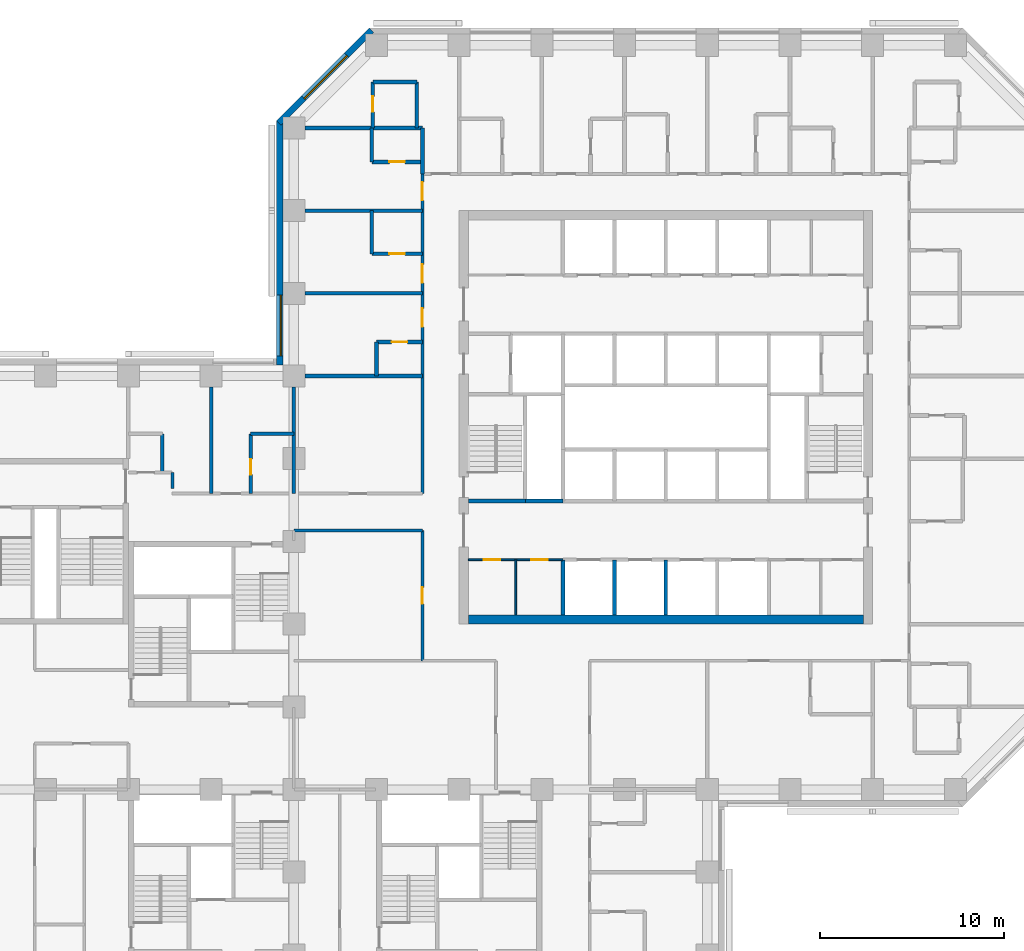
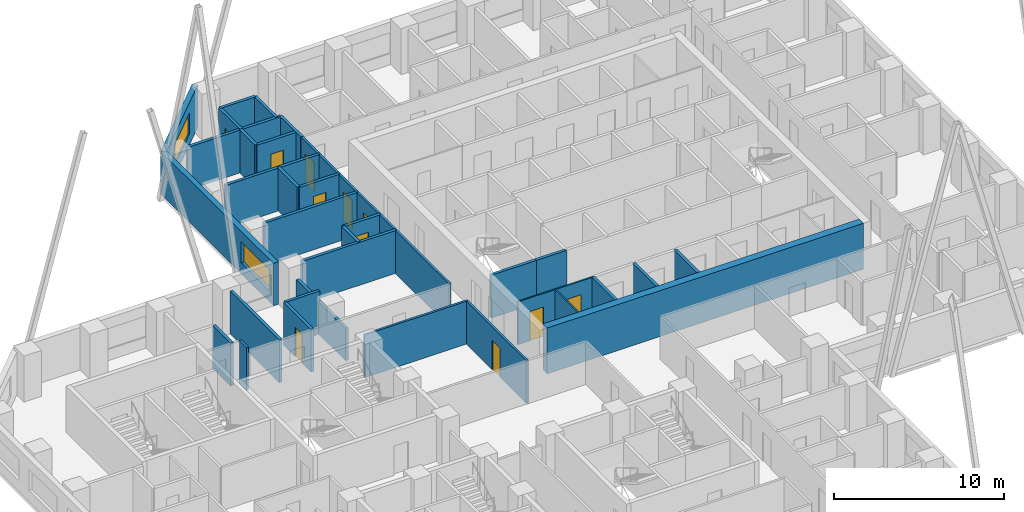
# One storey, part 8 of 14: 33 walls, 11 doors, 2 windows, 13 openings.
"""IFC4 building model written with IfcOpenShell, lengths in metres."""

import ifcopenshell
import ifcopenshell.guid

model = None  # the IFC model being written
_history = None  # IfcOwnerHistory: only IFC2X3 demands one
_inside = {}  # id of a spatial element -> (the spatial element, [elements in it])
_under = {}  # id of a project, library or spatial element -> (it, [spatial elements below it])
_declared = {}  # id of a project -> (the project, [libraries it declares])
_typed = {}  # id of a type object -> (the type object, [elements of that type])
_made_of = {}  # id of a material, layer set ... -> (it, [elements and type objects made of it])


def new_model(schema):
    """Start an empty IFC model of exactly this schema.

    Asked for "IFC4X3", IfcOpenShell would pick the latest addendum, in which some entities
    have other attributes; the version numbers below select the first issue.
    IFC2X3 requires an IfcOwnerHistory on every rooted entity: one is made here for all.
    """
    global model, _history
    if schema == "IFC4X3":
        model = ifcopenshell.file(schema_version=(4, 3, 0, 0))
    else:
        model = ifcopenshell.file(schema=schema)
    _inside.clear()
    _under.clear()
    _declared.clear()
    _typed.clear()
    _made_of.clear()
    _history = None
    if model.schema == "IFC2X3":
        org = make("IfcOrganization", Name="unknown")
        user = make(
            "IfcPersonAndOrganization",
            ThePerson=make("IfcPerson", FamilyName="unknown"),
            TheOrganization=org,
        )
        app = make(
            "IfcApplication",
            ApplicationDeveloper=org,
            Version="unknown",
            ApplicationFullName="unknown",
            ApplicationIdentifier="unknown",
        )
        _history = make(
            "IfcOwnerHistory",
            OwningUser=user,
            OwningApplication=app,
            ChangeAction="ADDED",
            CreationDate=0,
        )
    return model


def make(cls, **values):
    """One entity of the class cls with the attributes given. An attribute that is None is left unset."""
    return model.create_entity(
        cls, **{name: value for name, value in values.items() if value is not None}
    )


def rooted(cls, **values):
    """An entity with a GlobalId (a new one), such as an element, a storey or a relation."""
    return make(cls, GlobalId=ifcopenshell.guid.new(), OwnerHistory=_history, **values)


def si_unit(unit_type, name, prefix=None):
    """IfcSIUnit, for example si_unit("LENGTHUNIT", "METRE", prefix="MILLI")."""
    return make("IfcSIUnit", UnitType=unit_type, Prefix=prefix, Name=name)


def assignment(units):
    """IfcUnitAssignment: the units of a project."""
    return None if units is None else make("IfcUnitAssignment", Units=units)


def point(xyz):
    """IfcCartesianPoint."""
    return None if xyz is None else make("IfcCartesianPoint", Coordinates=xyz)


def direction(xyz):
    """IfcDirection."""
    return None if xyz is None else make("IfcDirection", DirectionRatios=xyz)


def frame(location, z_axis=None, x_axis=None):
    """IfcAxis2Placement3D, a coordinate frame: its origin and axes. An axis left out is left unset."""
    return make(
        "IfcAxis2Placement3D",
        Location=point(location),
        Axis=direction(z_axis),
        RefDirection=direction(x_axis),
    )


def frame_2d(location, x_axis=None):
    """IfcAxis2Placement2D, a coordinate frame in the plane: its origin and x axis."""
    return make(
        "IfcAxis2Placement2D", Location=point(location), RefDirection=direction(x_axis)
    )


def origin():
    """The frame at (0, 0, 0) with its axes left unset."""
    return frame((0.0, 0.0, 0.0))


def place(relative_to, where):
    """IfcLocalPlacement: puts the frame where relative to a parent placement (None: the world)."""
    return make(
        "IfcLocalPlacement", PlacementRelTo=relative_to, RelativePlacement=where
    )


def context(
    kind, dimensions, precision=None, world=None, true_north=None, identifier=None
):
    """IfcGeometricRepresentationContext, for example the 3D "Model" context."""
    return make(
        "IfcGeometricRepresentationContext",
        ContextIdentifier=identifier,
        ContextType=kind,
        CoordinateSpaceDimension=dimensions,
        Precision=precision,
        WorldCoordinateSystem=world,
        TrueNorth=true_north,
    )


def subcontext(parent, identifier, kind, view, scale=None):
    """IfcGeometricRepresentationSubContext, for example "Body" below "Model"."""
    return make(
        "IfcGeometricRepresentationSubContext",
        ContextIdentifier=identifier,
        ContextType=kind,
        ParentContext=parent,
        TargetScale=scale,
        TargetView=view,
    )


def project(units=None, contexts=None):
    """IfcProject with its units and contexts."""
    return rooted(
        "IfcProject",
        Name="project",
        RepresentationContexts=contexts,
        UnitsInContext=assignment(units),
    )


def spatial(cls, under=None, at=None, **own):
    """A site, building, storey or space (cls), placed at a placement, below another one or the project."""
    s = rooted(cls, ObjectPlacement=at, **own)
    if under is not None:
        _under.setdefault(under.id(), (under, []))[1].append(s)
    return s


def profile(cls, at=None, kind="AREA", **sizes):
    """A parametric profile (cls). Its sizes go by their IFC names, for example OverallWidth=200.0."""
    return make(cls, ProfileType=kind, Position=at, **sizes)


def rectangle(**sizes):
    """IfcRectangleProfileDef."""
    return profile("IfcRectangleProfileDef", **sizes)


def extrude(swept, where, along, depth):
    """IfcExtrudedAreaSolid: the profile swept, set in the frame where, extruded along a direction by depth."""
    return make(
        "IfcExtrudedAreaSolid",
        SweptArea=swept,
        Position=where,
        ExtrudedDirection=direction(along),
        Depth=depth,
    )


def shape(context_of_items, identifier, shape_type, items):
    """IfcShapeRepresentation: the items that make up one representation, for example the "Body"."""
    return make(
        "IfcShapeRepresentation",
        ContextOfItems=context_of_items,
        RepresentationIdentifier=identifier,
        RepresentationType=shape_type,
        Items=items,
    )


def material(Name=None, Category=None):
    """IfcMaterial."""
    return make("IfcMaterial", Name=Name, Category=Category)


def layer(
    of_material, thickness, ventilated=None, Name=None, Category=None, Priority=None
):
    """IfcMaterialLayer: one layer of a wall or slab, of a material (None: an air gap)."""
    return make(
        "IfcMaterialLayer",
        Material=of_material,
        LayerThickness=thickness,
        IsVentilated=ventilated,
        Name=Name,
        Category=Category,
        Priority=Priority,
    )


def layer_set(layers, Name=None):
    """IfcMaterialLayerSet."""
    return make("IfcMaterialLayerSet", MaterialLayers=layers, LayerSetName=Name)


def constituent(of_material, Name=None, Category=None, fraction=None):
    """IfcMaterialConstituent: one of the materials an element consists of."""
    return make(
        "IfcMaterialConstituent",
        Name=Name,
        Material=of_material,
        Fraction=fraction,
        Category=Category,
    )


def constituent_set(constituents=None, Name=None):
    """IfcMaterialConstituentSet."""
    return make(
        "IfcMaterialConstituentSet", Name=Name, MaterialConstituents=constituents
    )


def made_of(thing, what):
    """Note that an element or type object is made of a material, layer set ...; save() writes the relation."""
    if what is not None:
        _made_of.setdefault(what.id(), (what, []))[1].append(thing)
    return thing


def type_object(cls, material=None, **own):
    """A type object (cls), such as IfcWallType, which elements share."""
    return made_of(rooted(cls, **own), material)


def element(
    cls,
    number,
    at=None,
    inside=None,
    cuts=None,
    type_object=None,
    material=None,
    context=None,
    identifier="Body",
    shape_type=None,
    held_by="IfcProductDefinitionShape",
    body=None,
    shapes=None,
    **own,
):
    """One element of the class cls, such as IfcWall. Its Tag is "e" and its number.

    at: its placement. inside: the storey or other place that contains it. cuts: it is an
    opening in that element (IfcRelVoidsElement). A single representation is given by context,
    identifier, shape_type and body (its items); several are given by shapes. held_by: the class
    of the entity that holds the representations. save() writes the other relations.
    """
    e = rooted(cls, Tag="e%d" % number, ObjectPlacement=at, **own)
    if body is not None:
        shapes = [shape(context, identifier, shape_type, body)]
    if shapes is not None:
        e.Representation = make(held_by, Representations=shapes)
    if inside is not None:
        _inside.setdefault(inside.id(), (inside, []))[1].append(e)
    if cuts is not None:
        rooted(
            "IfcRelVoidsElement", RelatingBuildingElement=cuts, RelatedOpeningElement=e
        )
    if type_object is not None:
        _typed.setdefault(type_object.id(), (type_object, []))[1].append(e)
    return made_of(e, material)


def fill(opening, filler):
    """IfcRelFillsElement: the door or window that sits in an opening."""
    return rooted(
        "IfcRelFillsElement",
        RelatingOpeningElement=opening,
        RelatedBuildingElement=filler,
    )


def aggregate(whole, parts):
    """IfcRelAggregates: a whole, such as a stair, and the parts it consists of."""
    return rooted("IfcRelAggregates", RelatingObject=whole, RelatedObjects=parts)


def save(model, path):
    """Write the relations noted so far, then the file.

    IfcRelAggregates (storeys below a building ...), IfcRelContainedInSpatialStructure (elements
    in a storey), IfcRelDefinesByType, IfcRelAssociatesMaterial and IfcRelDeclares: one each for
    every whole, place, type object, material and project.
    """
    for whole, parts in _under.values():
        aggregate(whole, parts)
    for where, things in _inside.values():
        rooted(
            "IfcRelContainedInSpatialStructure",
            RelatedElements=things,
            RelatingStructure=where,
        )
    for kind, things in _typed.values():
        rooted("IfcRelDefinesByType", RelatedObjects=things, RelatingType=kind)
    for what, things in _made_of.values():
        rooted("IfcRelAssociatesMaterial", RelatedObjects=things, RelatingMaterial=what)
    for by, libraries in _declared.values():
        rooted("IfcRelDeclares", RelatingContext=by, RelatedDefinitions=libraries)
    model.write(path)


model = new_model("IFC4")

# Units and contexts
model_context = context("Model", 3, precision=1e-05, world=origin(), true_north=direction((0.0, 1.0)))
body_context = subcontext(model_context, "Body", "Model", "MODEL_VIEW")
ifc_project = project(units=[si_unit("LENGTHUNIT", "METRE"), si_unit("AREAUNIT", "SQUARE_METRE"), si_unit("VOLUMEUNIT", "CUBIC_METRE"), si_unit("PLANEANGLEUNIT", "RADIAN"), si_unit("MASSUNIT", "GRAM", prefix="KILO")], contexts=[model_context])

# Site, building, storey
site_placement = place(None, origin())
site = spatial("IfcSite", under=ifc_project, at=site_placement, CompositionType="ELEMENT")
building_placement = place(site_placement, origin())
building = spatial("IfcBuilding", under=site, at=building_placement, Name="Quoin Convention Tower", CompositionType="ELEMENT")
storey_placement = place(building_placement, frame((0.0, 0.0, 66.0)))
storey = spatial("IfcBuildingStorey", under=building, at=storey_placement, Name="L17", CompositionType="ELEMENT", Elevation=66.0)

# Wall, opening, window
ifc_material_1 = material(Name="Brick masonry", Category="masonry")
ifc_layer_1 = layer(ifc_material_1, 0.35009765625)
ifc_layer_set_1 = layer_set([ifc_layer_1], Name="Brick masonry")
wall_type_1 = type_object("IfcWallType", Name="Brick facade wall", PredefinedType="STANDARD", material=ifc_layer_set_1)
wall_1_placement = place(storey_placement, frame((40.230224609375, 81.826416015625, 0.0), z_axis=(0.0, 0.0, 1.0), x_axis=(-0.707106781187, -0.707106781187, 0.0)))
wall_1 = element("IfcWall", 1, at=wall_1_placement, inside=storey, type_object=wall_type_1, Name="fw-L17-40500_81000", PredefinedType="STANDARD", context=body_context, shape_type="SweptSolid", body=[
    extrude(rectangle(XDim=7.151123046875, YDim=0.35009765625, at=frame_2d((3.57568359375, 0.0))), origin(), (0.0, 0.0, 1.0), 3.054931640625),
])
opening_1_placement = place(wall_1_placement, frame((1.925537109375, 0.0, 0.800048828125)))
opening_1 = element("IfcOpeningElement", 2, at=opening_1_placement, cuts=wall_1, Name="Opening W-01", PredefinedType="OPENING", context=body_context, shape_type="SweptSolid", body=[
    extrude(rectangle(XDim=3.300048828125, YDim=1.5, at=frame_2d((1.64990234375, 0.75))), frame((0.0, 0.18505859375, 0.0), z_axis=(0.0, -1.0, 0.0), x_axis=(1.0, 0.0, 0.0)), (0.0, 0.0, 1.0), 0.3701171875),
])
ifc_material_2 = material(Name="Aluminium", Category="aluminium")
ifc_constituent_1 = constituent(ifc_material_2, Name="Frame")
ifc_material_3 = material(Name="Insulated glass", Category="glass")
ifc_constituent_2 = constituent(ifc_material_3, Name="Glazing")
ifc_constituent_set = constituent_set(constituents=[ifc_constituent_1, ifc_constituent_2], Name="Aluminium")
window_type = type_object("IfcWindowType", Name="Hotel strip window", PartitioningType="DOUBLE_PANEL_VERTICAL", PredefinedType="WINDOW", material=ifc_constituent_set)
window_1_placement = place(opening_1_placement, origin())
window_1 = element("IfcWindow", 3, at=window_1_placement, inside=storey, type_object=window_type, Name="win-L17-37702_79298", OverallHeight=1.5, OverallWidth=3.300048828125, PartitioningType="SINGLE_PANEL", PredefinedType="WINDOW", context=body_context, shape_type="SweptSolid", body=[
    extrude(rectangle(XDim=3.300048828125, YDim=1.5, at=frame_2d((1.64990234375, 0.75))), frame((0.0, 0.0849609375, 0.0), z_axis=(0.0, -1.0, 0.0), x_axis=(1.0, 0.0, 0.0)), (0.0, 0.0, 1.0), 0.06005859375),
])
fill(opening_1, window_1)

wall_2_placement = place(storey_placement, frame((35.22509765625, 76.8935546875, 0.0), z_axis=(0.0, 0.0, 1.0), x_axis=(0.0, -1.0, 0.0)))
wall_2 = element("IfcWall", 4, at=wall_2_placement, inside=storey, type_object=wall_type_1, Name="fw-L17-36000_76500", PredefinedType="STANDARD", context=body_context, shape_type="SweptSolid", body=[
    extrude(rectangle(XDim=13.29345703125, YDim=0.35009765625, at=frame_2d((6.646728515625, 0.0))), origin(), (0.0, 0.0, 1.0), 3.054931640625),
])
opening_2_placement = place(wall_2_placement, frame((9.493408203125, 0.0, 0.800048828125)))
opening_2 = element("IfcOpeningElement", 5, at=opening_2_placement, cuts=wall_2, Name="Opening W-01", PredefinedType="OPENING", context=body_context, shape_type="SweptSolid", body=[
    extrude(rectangle(XDim=3.300048828125, YDim=1.5, at=frame_2d((1.64990234375, 0.75))), frame((0.0, 0.18505859375, 0.0), z_axis=(0.0, -1.0, 0.0), x_axis=(1.0, 0.0, 0.0)), (0.0, 0.0, 1.0), 0.3701171875),
])
window_2_placement = place(opening_2_placement, origin())
window_2 = element("IfcWindow", 6, at=window_2_placement, inside=storey, type_object=window_type, Name="win-L17-35225_65250", OverallHeight=1.5, OverallWidth=3.300048828125, PartitioningType="SINGLE_PANEL", PredefinedType="WINDOW", context=body_context, shape_type="SweptSolid", body=[
    extrude(rectangle(XDim=3.300048828125, YDim=1.5, at=frame_2d((1.64990234375, 0.75))), frame((0.0, 0.0849609375, 0.0), z_axis=(0.0, -1.0, 0.0), x_axis=(1.0, 0.0, 0.0)), (0.0, 0.0, 1.0), 0.06005859375),
])
fill(opening_2, window_2)

# Wall, openings, doors
ifc_material_4 = material(Name="Plasterboard")
ifc_layer_2 = layer(ifc_material_4, 0.012451171875, Name="Finish")
ifc_material_5 = material(Name="Steel stud framing", Category="steel")
ifc_layer_3 = layer(ifc_material_5, 0.074951171875, Name="Structure")
ifc_layer_4 = layer(ifc_material_4, 0.012451171875, Name="Finish")
ifc_layer_set_2 = layer_set([ifc_layer_2, ifc_layer_3, ifc_layer_4], Name="Steel stud framing")
wall_type_2 = type_object("IfcWallType", Name="Core partition wall", PredefinedType="PARTITIONING", material=ifc_layer_set_2)
wall_3_placement = place(storey_placement, frame((45.5, 53.0, 0.0), z_axis=(0.0, 0.0, 1.0), x_axis=(1.0, 0.0, 0.0)))
wall_3 = element("IfcWall", 7, at=wall_3_placement, inside=storey, type_object=wall_type_2, Name="cr-C1-L17-h3500_500", PredefinedType="PARTITIONING", context=body_context, shape_type="SweptSolid", body=[
    extrude(rectangle(XDim=5.14990234375, YDim=0.10009765625, at=frame_2d((2.574951171875, 0.0))), origin(), (0.0, 0.0, 1.0), 3.080078125),
])
opening_3_placement = place(wall_3_placement, frame((0.83740234375, 0.0, 0.0)))
opening_3 = element("IfcOpeningElement", 8, at=opening_3_placement, cuts=wall_3, Name="Opening DCV0-49", PredefinedType="OPENING", context=body_context, shape_type="SweptSolid", body=[
    extrude(rectangle(XDim=0.89990234375, YDim=2.10009765625, at=frame_2d((0.449951171875, 1.050048828125))), frame((0.0, 0.06005859375, 0.0), z_axis=(0.0, -1.0, 0.0), x_axis=(1.0, 0.0, 0.0)), (0.0, 0.0, 1.0), 0.1201171875),
])
opening_4_placement = place(wall_3_placement, frame((3.41259765625, 0.0, 0.0)))
opening_4 = element("IfcOpeningElement", 9, at=opening_4_placement, cuts=wall_3, Name="Opening DCV0-50", PredefinedType="OPENING", context=body_context, shape_type="SweptSolid", body=[
    extrude(rectangle(XDim=0.89990234375, YDim=2.10009765625, at=frame_2d((0.449951171875, 1.050048828125))), frame((0.0, 0.06005859375, 0.0), z_axis=(0.0, -1.0, 0.0), x_axis=(1.0, 0.0, 0.0)), (0.0, 0.0, 1.0), 0.1201171875),
])
ifc_material_6 = material(Name="Steel door leaf", Category="steel")
door_type_1 = type_object("IfcDoorType", Name="Core room door 900 x 2100", OperationType="SINGLE_SWING_LEFT", PredefinedType="DOOR", material=ifc_material_6)
door_1_placement = place(opening_3_placement, frame((0.89990234375, 0.0, 0.0), z_axis=(0.0, 0.0, 1.0), x_axis=(-1.0, 0.0, 0.0)))
door_1 = element("IfcDoor", 10, at=door_1_placement, inside=storey, type_object=door_type_1, Name="cd-C1-L17-CSW0-lobA-CD1712", OperationType="SINGLE_SWING_LEFT", OverallHeight=2.10009765625, OverallWidth=0.89990234375, PredefinedType="DOOR", context=body_context, shape_type="SweptSolid", body=[
    extrude(rectangle(XDim=0.89990234375, YDim=2.10009765625, at=frame_2d((0.449951171875, 1.050048828125))), frame((0.0, 0.02490234375, 0.0), z_axis=(0.0, -1.0, 0.0), x_axis=(1.0, 0.0, 0.0)), (0.0, 0.0, 1.0), 0.050048828125),
])
fill(opening_3, door_1)
door_2_placement = place(opening_4_placement, frame((0.89990234375, 0.0, 0.0), z_axis=(0.0, 0.0, 1.0), x_axis=(-1.0, 0.0, 0.0)))
door_2 = element("IfcDoor", 11, at=door_2_placement, inside=storey, type_object=door_type_1, Name="cd-C1-L17-CSW1-lobA-CD1713", OperationType="SINGLE_SWING_LEFT", OverallHeight=2.10009765625, OverallWidth=0.89990234375, PredefinedType="DOOR", context=body_context, shape_type="SweptSolid", body=[
    extrude(rectangle(XDim=0.89990234375, YDim=2.10009765625, at=frame_2d((0.449951171875, 1.050048828125))), frame((0.0, 0.02490234375, 0.0), z_axis=(0.0, -1.0, 0.0), x_axis=(1.0, 0.0, 0.0)), (0.0, 0.0, 1.0), 0.050048828125),
])
fill(opening_4, door_2)

# Walls
wall_4_placement = place(storey_placement, frame((48.074951171875, 50.0, 0.0), z_axis=(0.0, 0.0, 1.0), x_axis=(0.0, 1.0, 0.0)))
element("IfcWall", 12, at=wall_4_placement, inside=storey, type_object=wall_type_2, Name="cr-C1-L17-v3075_500", PredefinedType="PARTITIONING", context=body_context, shape_type="SweptSolid", body=[
    extrude(rectangle(XDim=3.0, YDim=0.10009765625, at=frame_2d((1.5, 0.0))), origin(), (0.0, 0.0, 1.0), 3.080078125),
])
ifc_material_7 = material(Name="Concrete C50", Category="concrete")
ifc_layer_5 = layer(ifc_material_7, 0.199951171875)
ifc_layer_set_3 = layer_set([ifc_layer_5], Name="Concrete C50")
wall_type_3 = type_object("IfcWallType", Name="Core shaft wall", PredefinedType="SOLIDWALL", material=ifc_layer_set_3)
wall_5_placement = place(storey_placement, frame((48.60009765625, 56.199951171875, 0.0), z_axis=(0.0, 0.0, 1.0), x_axis=(1.0, 0.0, 0.0)))
element("IfcWall", 13, at=wall_5_placement, inside=storey, type_object=wall_type_3, Name="cr-C1-L17-h6700_3600", PredefinedType="SOLIDWALL", context=body_context, shape_type="SweptSolid", body=[
    extrude(rectangle(XDim=2.0498046875, YDim=0.199951171875, at=frame_2d((1.02490234375, 0.0))), origin(), (0.0, 0.0, 1.0), 3.080078125),
])
wall_6_placement = place(storey_placement, frame((45.5, 56.199951171875, 0.0), z_axis=(0.0, 0.0, 1.0), x_axis=(1.0, 0.0, 0.0)))
element("IfcWall", 14, at=wall_6_placement, inside=storey, type_object=wall_type_3, Name="cr-C1-L17-h6700_500", PredefinedType="SOLIDWALL", context=body_context, shape_type="SweptSolid", body=[
    extrude(rectangle(XDim=3.10009765625, YDim=0.199951171875, at=frame_2d((1.550048828125, 0.0))), origin(), (0.0, 0.0, 1.0), 3.080078125),
])
for number, where, z_axis, x_axis, name in (
    (15, (50.64990234375, 50.0, 0.0), (0.0, 0.0, 1.0), (0.0, 1.0, 0.0), "cr-C1-L17-v5650_500"),
    (16, (53.449951171875, 50.0, 0.0), (0.0, 0.0, 1.0), (0.0, 1.0, 0.0), "cr-C1-L17-v8450_500"),
    (17, (56.25, 50.0, 0.0), (0.0, 0.0, 1.0), (0.0, 1.0, 0.0), "cr-C1-L17-v11250_500"),
):
    element("IfcWall", number, at=place(storey_placement, frame(where, z_axis=z_axis, x_axis=x_axis)), inside=storey, type_object=wall_type_3, Name=name, PredefinedType="SOLIDWALL", context=body_context, shape_type="SweptSolid", body=[
        extrude(rectangle(XDim=3.0, YDim=0.199951171875, at=frame_2d((1.5, 0.0))), origin(), (0.0, 0.0, 1.0), 3.080078125),
    ])
ifc_material_8 = material(Name="Concrete C80", Category="concrete")
ifc_layer_6 = layer(ifc_material_8, 0.5)
ifc_layer_set_4 = layer_set([ifc_layer_6], Name="Concrete C80")
wall_type_4 = type_object("IfcWallType", Name="RC CORE WALL 500 C80", PredefinedType="SHEAR", material=ifc_layer_set_4)
wall_7_placement = place(storey_placement, frame((45.5, 49.75, 0.0), z_axis=(0.0, 0.0, 1.0), x_axis=(1.0, 0.0, 0.0)))
element("IfcWall", 18, at=wall_7_placement, inside=storey, type_object=wall_type_4, Name="cwl-C1-L17-S", PredefinedType="SHEAR", context=body_context, shape_type="SweptSolid", body=[
    extrude(rectangle(XDim=21.5, YDim=0.5, at=frame_2d((10.75, 0.0))), origin(), (0.0, 0.0, 1.0), 3.300048828125),
])
ifc_layer_7 = layer(ifc_material_7, 0.199951171875)
ifc_layer_set_5 = layer_set([ifc_layer_7], Name="Concrete C50")
wall_type_5 = type_object("IfcWallType", Name="RC party wall", PredefinedType="SOLIDWALL", material=ifc_layer_set_5)
wall_8_placement = place(storey_placement, frame((28.85009765625, 57.72998046875, 0.0), z_axis=(0.0, 0.0, 1.0), x_axis=(0.0, 1.0, 0.0)))
element("IfcWall", 19, at=wall_8_placement, inside=storey, type_object=wall_type_5, Name="pw-L17-097", PredefinedType="SOLIDWALL", context=body_context, shape_type="SweptSolid", body=[
    extrude(rectangle(XDim=2.1201171875, YDim=0.199951171875, at=frame_2d((1.06005859375, 0.0))), origin(), (0.0, 0.0, 1.0), 3.080078125),
])
wall_9_placement = place(storey_placement, frame((31.5, 56.60009765625, 0.0), z_axis=(0.0, 0.0, 1.0), x_axis=(0.0, 1.0, 0.0)))
element("IfcWall", 20, at=wall_9_placement, inside=storey, type_object=wall_type_5, Name="pw-L17-098", PredefinedType="SOLIDWALL", context=body_context, shape_type="SweptSolid", body=[
    extrude(rectangle(XDim=5.7998046875, YDim=0.199951171875, at=frame_2d((2.89990234375, 0.0))), origin(), (0.0, 0.0, 1.0), 3.080078125),
])

# Wall, opening, door
wall_10_placement = place(storey_placement, frame((33.64990234375, 56.60009765625, 0.0), z_axis=(0.0, 0.0, 1.0), x_axis=(0.0, 1.0, 0.0)))
wall_10 = element("IfcWall", 21, at=wall_10_placement, inside=storey, type_object=wall_type_5, Name="pw-L17-099", PredefinedType="SOLIDWALL", context=body_context, shape_type="SweptSolid", body=[
    extrude(rectangle(XDim=3.25, YDim=0.199951171875, at=frame_2d((1.625, 0.0))), origin(), (0.0, 0.0, 1.0), 3.080078125),
])
opening_5_placement = place(wall_10_placement, frame((1.030029296875, 0.0, 0.0)))
opening_5 = element("IfcOpeningElement", 22, at=opening_5_placement, cuts=wall_10, Name="Opening DHOTEL-G-63", PredefinedType="OPENING", context=body_context, shape_type="SweptSolid", body=[
    extrude(rectangle(XDim=0.85009765625, YDim=2.10009765625, at=frame_2d((0.425048828125, 1.050048828125))), frame((0.0, 0.10986328125, 0.0), z_axis=(0.0, -1.0, 0.0), x_axis=(1.0, 0.0, 0.0)), (0.0, 0.0, 1.0), 0.219970703125),
])
door_type_2 = type_object("IfcDoorType", Name="Bathroom door", OperationType="SINGLE_SWING_LEFT", PredefinedType="DOOR", material=ifc_material_6)
door_3_placement = place(opening_5_placement, origin())
door_3 = element("IfcDoor", 23, at=door_3_placement, inside=storey, type_object=door_type_2, Name="dr-L17-030", OperationType="SINGLE_SWING_LEFT", OverallHeight=2.10009765625, OverallWidth=0.85009765625, PredefinedType="DOOR", context=body_context, shape_type="SweptSolid", body=[
    extrude(rectangle(XDim=0.85009765625, YDim=2.10009765625, at=frame_2d((0.425048828125, 1.050048828125))), frame((0.0, 0.02490234375, 0.0), z_axis=(0.0, -1.0, 0.0), x_axis=(1.0, 0.0, 0.0)), (0.0, 0.0, 1.0), 0.050048828125),
])
fill(opening_5, door_3)

# Walls
wall_11_placement = place(storey_placement, frame((33.64990234375, 59.85009765625, 0.0), z_axis=(0.0, 0.0, 1.0), x_axis=(1.0, 0.0, 0.0)))
element("IfcWall", 24, at=wall_11_placement, inside=storey, type_object=wall_type_5, Name="pw-L17-107", PredefinedType="SOLIDWALL", context=body_context, shape_type="SweptSolid", body=[
    extrude(rectangle(XDim=2.35009765625, YDim=0.199951171875, at=frame_2d((1.175048828125, 0.0))), origin(), (0.0, 0.0, 1.0), 3.080078125),
])
wall_12_placement = place(storey_placement, frame((40.5, 63.0, 0.0), z_axis=(0.0, 0.0, 1.0), x_axis=(0.0, 1.0, 0.0)))
element("IfcWall", 25, at=wall_12_placement, inside=storey, type_object=wall_type_5, Name="pw-L17-110", PredefinedType="SOLIDWALL", context=body_context, shape_type="SweptSolid", body=[
    extrude(rectangle(XDim=1.85009765625, YDim=0.199951171875, at=frame_2d((0.925048828125, 0.0))), origin(), (0.0, 0.0, 1.0), 3.080078125),
])

# Wall, opening, door
wall_13_placement = place(storey_placement, frame((40.5, 64.85009765625, 0.0), z_axis=(0.0, 0.0, 1.0), x_axis=(1.0, 0.0, 0.0)))
wall_13 = element("IfcWall", 26, at=wall_13_placement, inside=storey, type_object=wall_type_5, Name="pw-L17-112", PredefinedType="SOLIDWALL", context=body_context, shape_type="SweptSolid", body=[
    extrude(rectangle(XDim=2.5, YDim=0.199951171875, at=frame_2d((1.25, 0.0))), origin(), (0.0, 0.0, 1.0), 3.080078125),
])
opening_6_placement = place(wall_13_placement, frame((0.824951171875, 0.0, 0.0)))
opening_6 = element("IfcOpeningElement", 27, at=opening_6_placement, cuts=wall_13, Name="Opening DHOTEL-G-65", PredefinedType="OPENING", context=body_context, shape_type="SweptSolid", body=[
    extrude(rectangle(XDim=0.85009765625, YDim=2.10009765625, at=frame_2d((0.425048828125, 1.050048828125))), frame((0.0, 0.10986328125, 0.0), z_axis=(0.0, -1.0, 0.0), x_axis=(1.0, 0.0, 0.0)), (0.0, 0.0, 1.0), 0.219970703125),
])
door_4_placement = place(opening_6_placement, origin())
door_4 = element("IfcDoor", 28, at=door_4_placement, inside=storey, type_object=door_type_2, Name="dr-L17-036", OperationType="SINGLE_SWING_RIGHT", OverallHeight=2.10009765625, OverallWidth=0.85009765625, PredefinedType="DOOR", context=body_context, shape_type="SweptSolid", body=[
    extrude(rectangle(XDim=0.85009765625, YDim=2.10009765625, at=frame_2d((0.425048828125, 1.050048828125))), frame((0.0, 0.02490234375, 0.0), z_axis=(0.0, -1.0, 0.0), x_axis=(1.0, 0.0, 0.0)), (0.0, 0.0, 1.0), 0.050048828125),
])
fill(opening_6, door_4)

# Wall
wall_14_placement = place(storey_placement, frame((36.60009765625, 67.5, 0.0), z_axis=(0.0, 0.0, 1.0), x_axis=(1.0, 0.0, 0.0)))
element("IfcWall", 29, at=wall_14_placement, inside=storey, type_object=wall_type_5, Name="pw-L17-115", PredefinedType="SOLIDWALL", context=body_context, shape_type="SweptSolid", body=[
    extrude(rectangle(XDim=6.39990234375, YDim=0.199951171875, at=frame_2d((3.199951171875, 0.0))), origin(), (0.0, 0.0, 1.0), 3.080078125),
])

# Wall, opening, door
wall_15_placement = place(storey_placement, frame((40.25, 69.64990234375, 0.0), z_axis=(0.0, 0.0, 1.0), x_axis=(1.0, 0.0, 0.0)))
wall_15 = element("IfcWall", 30, at=wall_15_placement, inside=storey, type_object=wall_type_5, Name="pw-L17-117", PredefinedType="SOLIDWALL", context=body_context, shape_type="SweptSolid", body=[
    extrude(rectangle(XDim=2.75, YDim=0.199951171875, at=frame_2d((1.375, 0.0))), origin(), (0.0, 0.0, 1.0), 3.080078125),
])
opening_7_placement = place(wall_15_placement, frame((0.949951171875, 0.0, 0.0)))
opening_7 = element("IfcOpeningElement", 31, at=opening_7_placement, cuts=wall_15, Name="Opening DHOTEL-G-67", PredefinedType="OPENING", context=body_context, shape_type="SweptSolid", body=[
    extrude(rectangle(XDim=0.85009765625, YDim=2.10009765625, at=frame_2d((0.425048828125, 1.050048828125))), frame((0.0, 0.10986328125, 0.0), z_axis=(0.0, -1.0, 0.0), x_axis=(1.0, 0.0, 0.0)), (0.0, 0.0, 1.0), 0.219970703125),
])
door_5_placement = place(opening_7_placement, frame((0.85009765625, 0.0, 0.0), z_axis=(0.0, 0.0, 1.0), x_axis=(-1.0, 0.0, 0.0)))
door_5 = element("IfcDoor", 32, at=door_5_placement, inside=storey, type_object=door_type_2, Name="dr-L17-038", OperationType="SINGLE_SWING_LEFT", OverallHeight=2.10009765625, OverallWidth=0.85009765625, PredefinedType="DOOR", context=body_context, shape_type="SweptSolid", body=[
    extrude(rectangle(XDim=0.85009765625, YDim=2.10009765625, at=frame_2d((0.425048828125, 1.050048828125))), frame((0.0, 0.02490234375, 0.0), z_axis=(0.0, -1.0, 0.0), x_axis=(1.0, 0.0, 0.0)), (0.0, 0.0, 1.0), 0.050048828125),
])
fill(opening_7, door_5)

# Walls
wall_16_placement = place(storey_placement, frame((40.25, 69.64990234375, 0.0), z_axis=(0.0, 0.0, 1.0), x_axis=(0.0, 1.0, 0.0)))
element("IfcWall", 33, at=wall_16_placement, inside=storey, type_object=wall_type_5, Name="pw-L17-118", PredefinedType="SOLIDWALL", context=body_context, shape_type="SweptSolid", body=[
    extrude(rectangle(XDim=2.35009765625, YDim=0.199951171875, at=frame_2d((1.175048828125, 0.0))), origin(), (0.0, 0.0, 1.0), 3.080078125),
])
wall_17_placement = place(storey_placement, frame((36.60009765625, 72.0, 0.0), z_axis=(0.0, 0.0, 1.0), x_axis=(1.0, 0.0, 0.0)))
element("IfcWall", 34, at=wall_17_placement, inside=storey, type_object=wall_type_5, Name="pw-L17-120", PredefinedType="SOLIDWALL", context=body_context, shape_type="SweptSolid", body=[
    extrude(rectangle(XDim=6.39990234375, YDim=0.199951171875, at=frame_2d((3.199951171875, 0.0))), origin(), (0.0, 0.0, 1.0), 3.080078125),
])
wall_18_placement = place(storey_placement, frame((43.0, 74.0, 0.0), z_axis=(0.0, 0.0, 1.0), x_axis=(0.0, 1.0, 0.0)))
element("IfcWall", 35, at=wall_18_placement, inside=storey, type_object=wall_type_5, Name="pw-L17-122", PredefinedType="SOLIDWALL", context=body_context, shape_type="SweptSolid", body=[
    extrude(rectangle(XDim=2.5, YDim=0.199951171875, at=frame_2d((1.25, 0.0))), origin(), (0.0, 0.0, 1.0), 3.080078125),
])

# Wall, opening, door
wall_19_placement = place(storey_placement, frame((40.25, 74.64990234375, 0.0), z_axis=(0.0, 0.0, 1.0), x_axis=(1.0, 0.0, 0.0)))
wall_19 = element("IfcWall", 36, at=wall_19_placement, inside=storey, type_object=wall_type_5, Name="pw-L17-135", PredefinedType="SOLIDWALL", context=body_context, shape_type="SweptSolid", body=[
    extrude(rectangle(XDim=2.75, YDim=0.199951171875, at=frame_2d((1.375, 0.0))), origin(), (0.0, 0.0, 1.0), 3.080078125),
])
opening_8_placement = place(wall_19_placement, frame((0.949951171875, 0.0, 0.0)))
opening_8 = element("IfcOpeningElement", 37, at=opening_8_placement, cuts=wall_19, Name="Opening DHOTEL-G-74", PredefinedType="OPENING", context=body_context, shape_type="SweptSolid", body=[
    extrude(rectangle(XDim=0.85009765625, YDim=2.10009765625, at=frame_2d((0.425048828125, 1.050048828125))), frame((0.0, 0.10986328125, 0.0), z_axis=(0.0, -1.0, 0.0), x_axis=(1.0, 0.0, 0.0)), (0.0, 0.0, 1.0), 0.219970703125),
])
door_6_placement = place(opening_8_placement, frame((0.85009765625, 0.0, 0.0), z_axis=(0.0, 0.0, 1.0), x_axis=(-1.0, 0.0, 0.0)))
door_6 = element("IfcDoor", 38, at=door_6_placement, inside=storey, type_object=door_type_2, Name="dr-L17-040", OperationType="SINGLE_SWING_LEFT", OverallHeight=2.10009765625, OverallWidth=0.85009765625, PredefinedType="DOOR", context=body_context, shape_type="SweptSolid", body=[
    extrude(rectangle(XDim=0.85009765625, YDim=2.10009765625, at=frame_2d((0.425048828125, 1.050048828125))), frame((0.0, 0.02490234375, 0.0), z_axis=(0.0, -1.0, 0.0), x_axis=(1.0, 0.0, 0.0)), (0.0, 0.0, 1.0), 0.050048828125),
])
fill(opening_8, door_6)

# Walls
wall_20_placement = place(storey_placement, frame((40.25, 74.64990234375, 0.0), z_axis=(0.0, 0.0, 1.0), x_axis=(0.0, 1.0, 0.0)))
element("IfcWall", 39, at=wall_20_placement, inside=storey, type_object=wall_type_5, Name="pw-L17-136", PredefinedType="SOLIDWALL", context=body_context, shape_type="SweptSolid", body=[
    extrude(rectangle(XDim=1.85009765625, YDim=0.199951171875, at=frame_2d((0.925048828125, 0.0))), origin(), (0.0, 0.0, 1.0), 3.080078125),
])
wall_21_placement = place(storey_placement, frame((36.60009765625, 76.5, 0.0), z_axis=(0.0, 0.0, 1.0), x_axis=(1.0, 0.0, 0.0)))
element("IfcWall", 40, at=wall_21_placement, inside=storey, type_object=wall_type_5, Name="pw-L17-139", PredefinedType="SOLIDWALL", context=body_context, shape_type="SweptSolid", body=[
    extrude(rectangle(XDim=6.39990234375, YDim=0.199951171875, at=frame_2d((3.199951171875, 0.0))), origin(), (0.0, 0.0, 1.0), 3.080078125),
])

# Wall, opening, door
wall_22_placement = place(storey_placement, frame((40.300048828125, 76.5, 0.0), z_axis=(0.0, 0.0, 1.0), x_axis=(0.0, 1.0, 0.0)))
wall_22 = element("IfcWall", 41, at=wall_22_placement, inside=storey, type_object=wall_type_5, Name="pw-L17-140", PredefinedType="SOLIDWALL", context=body_context, shape_type="SweptSolid", body=[
    extrude(rectangle(XDim=2.5, YDim=0.199951171875, at=frame_2d((1.25, 0.0))), origin(), (0.0, 0.0, 1.0), 3.080078125),
])
opening_9_placement = place(wall_22_placement, frame((0.875, 0.0, 0.0)))
opening_9 = element("IfcOpeningElement", 42, at=opening_9_placement, cuts=wall_22, Name="Opening DHOTEL-G-76", PredefinedType="OPENING", context=body_context, shape_type="SweptSolid", body=[
    extrude(rectangle(XDim=0.85009765625, YDim=2.10009765625, at=frame_2d((0.425048828125, 1.050048828125))), frame((0.0, 0.10986328125, 0.0), z_axis=(0.0, -1.0, 0.0), x_axis=(1.0, 0.0, 0.0)), (0.0, 0.0, 1.0), 0.219970703125),
])
door_7_placement = place(opening_9_placement, origin())
door_7 = element("IfcDoor", 43, at=door_7_placement, inside=storey, type_object=door_type_2, Name="dr-L17-072", OperationType="SINGLE_SWING_RIGHT", OverallHeight=2.10009765625, OverallWidth=0.85009765625, PredefinedType="DOOR", context=body_context, shape_type="SweptSolid", body=[
    extrude(rectangle(XDim=0.85009765625, YDim=2.10009765625, at=frame_2d((0.425048828125, 1.050048828125))), frame((0.0, 0.02490234375, 0.0), z_axis=(0.0, -1.0, 0.0), x_axis=(1.0, 0.0, 0.0)), (0.0, 0.0, 1.0), 0.050048828125),
])
fill(opening_9, door_7)

# Walls
wall_23_placement = place(storey_placement, frame((42.699951171875, 76.5, 0.0), z_axis=(0.0, 0.0, 1.0), x_axis=(0.0, 1.0, 0.0)))
element("IfcWall", 44, at=wall_23_placement, inside=storey, type_object=wall_type_5, Name="pw-L17-141", PredefinedType="SOLIDWALL", context=body_context, shape_type="SweptSolid", body=[
    extrude(rectangle(XDim=2.5, YDim=0.199951171875, at=frame_2d((1.25, 0.0))), origin(), (0.0, 0.0, 1.0), 3.080078125),
])
wall_24_placement = place(storey_placement, frame((40.300048828125, 79.0, 0.0), z_axis=(0.0, 0.0, 1.0), x_axis=(1.0, 0.0, 0.0)))
element("IfcWall", 45, at=wall_24_placement, inside=storey, type_object=wall_type_5, Name="pw-L17-150", PredefinedType="SOLIDWALL", context=body_context, shape_type="SweptSolid", body=[
    extrude(rectangle(XDim=2.39990234375, YDim=0.199951171875, at=frame_2d((1.199951171875, 0.0))), origin(), (0.0, 0.0, 1.0), 3.080078125),
])

# Wall, opening, door
ifc_layer_8 = layer(ifc_material_4, 0.012451171875, Name="Finish")
ifc_layer_9 = layer(ifc_material_5, 0.125, Name="Structure")
ifc_layer_10 = layer(ifc_material_4, 0.012451171875, Name="Finish")
ifc_layer_set_6 = layer_set([ifc_layer_8, ifc_layer_9, ifc_layer_10], Name="Steel stud framing")
wall_type_6 = type_object("IfcWallType", Name="corridor partition", PredefinedType="PARTITIONING", material=ifc_layer_set_6)
wall_25_placement = place(storey_placement, frame((43.0, 47.5, 0.0), z_axis=(0.0, 0.0, 1.0), x_axis=(0.0, 1.0, 0.0)))
wall_25 = element("IfcWall", 46, at=wall_25_placement, inside=storey, type_object=wall_type_6, Name="pw-L17-029", PredefinedType="PARTITIONING", context=body_context, shape_type="SweptSolid", body=[
    extrude(rectangle(XDim=7.10009765625, YDim=0.14990234375, at=frame_2d((3.550048828125, 0.0))), origin(), (0.0, 0.0, 1.0), 3.080078125),
])
opening_10_placement = place(wall_25_placement, frame((3.10009765625, 0.0, 0.0)))
opening_10 = element("IfcOpeningElement", 47, at=opening_10_placement, cuts=wall_25, Name="Opening DHOTEL-G-26", PredefinedType="OPENING", context=body_context, shape_type="SweptSolid", body=[
    extrude(rectangle(XDim=0.89990234375, YDim=2.10009765625, at=frame_2d((0.449951171875, 1.050048828125))), frame((0.0, 0.0849609375, 0.0), z_axis=(0.0, -1.0, 0.0), x_axis=(1.0, 0.0, 0.0)), (0.0, 0.0, 1.0), 0.169921875),
])
door_type_3 = type_object("IfcDoorType", Name="Toilet door", OperationType="SINGLE_SWING_LEFT", PredefinedType="DOOR", material=ifc_material_6)
door_8_placement = place(opening_10_placement, origin())
door_8 = element("IfcDoor", 48, at=door_8_placement, inside=storey, type_object=door_type_3, Name="dr-L17-083", OperationType="SINGLE_SWING_RIGHT", OverallHeight=2.10009765625, OverallWidth=0.89990234375, PredefinedType="DOOR", context=body_context, shape_type="SweptSolid", body=[
    extrude(rectangle(XDim=0.89990234375, YDim=2.10009765625, at=frame_2d((0.449951171875, 1.050048828125))), frame((0.0, 0.02490234375, 0.0), z_axis=(0.0, -1.0, 0.0), x_axis=(1.0, 0.0, 0.0)), (0.0, 0.0, 1.0), 0.050048828125),
])
fill(opening_10, door_8)

# Wall
wall_26_placement = place(storey_placement, frame((36.0, 54.60009765625, 0.0), z_axis=(0.0, 0.0, 1.0), x_axis=(1.0, 0.0, 0.0)))
element("IfcWall", 49, at=wall_26_placement, inside=storey, type_object=wall_type_6, Name="pw-L17-035", PredefinedType="PARTITIONING", context=body_context, shape_type="SweptSolid", body=[
    extrude(rectangle(XDim=7.0, YDim=0.14990234375, at=frame_2d((3.5, 0.0))), origin(), (0.0, 0.0, 1.0), 3.080078125),
])

# Wall, openings, doors
wall_27_placement = place(storey_placement, frame((43.0, 56.60009765625, 0.0), z_axis=(0.0, 0.0, 1.0), x_axis=(0.0, 1.0, 0.0)))
wall_27 = element("IfcWall", 50, at=wall_27_placement, inside=storey, type_object=wall_type_6, Name="pw-L17-037", PredefinedType="PARTITIONING", context=body_context, shape_type="SweptSolid", body=[
    extrude(rectangle(XDim=17.39990234375, YDim=0.14990234375, at=frame_2d((8.699951171875, 0.0))), origin(), (0.0, 0.0, 1.0), 3.080078125),
])
opening_11_placement = place(wall_27_placement, frame((9.074951171875, 0.0, 0.0)))
opening_11 = element("IfcOpeningElement", 51, at=opening_11_placement, cuts=wall_27, Name="Opening DHOTEL-G-37", PredefinedType="OPENING", context=body_context, shape_type="SweptSolid", body=[
    extrude(rectangle(XDim=1.0, YDim=2.10009765625, at=frame_2d((0.5, 1.050048828125))), frame((0.0, 0.0849609375, 0.0), z_axis=(0.0, -1.0, 0.0), x_axis=(1.0, 0.0, 0.0)), (0.0, 0.0, 1.0), 0.169921875),
])
opening_12_placement = place(wall_27_placement, frame((11.47509765625, 0.0, 0.0)))
opening_12 = element("IfcOpeningElement", 52, at=opening_12_placement, cuts=wall_27, Name="Opening DHOTEL-G-38", PredefinedType="OPENING", context=body_context, shape_type="SweptSolid", body=[
    extrude(rectangle(XDim=1.0, YDim=2.10009765625, at=frame_2d((0.5, 1.050048828125))), frame((0.0, 0.0849609375, 0.0), z_axis=(0.0, -1.0, 0.0), x_axis=(1.0, 0.0, 0.0)), (0.0, 0.0, 1.0), 0.169921875),
])
opening_13_placement = place(wall_27_placement, frame((15.952880859375, 0.0, 0.0)))
opening_13 = element("IfcOpeningElement", 53, at=opening_13_placement, cuts=wall_27, Name="Opening DHOTEL-G-39", PredefinedType="OPENING", context=body_context, shape_type="SweptSolid", body=[
    extrude(rectangle(XDim=1.0, YDim=2.10009765625, at=frame_2d((0.5, 1.050048828125))), frame((0.0, 0.0849609375, 0.0), z_axis=(0.0, -1.0, 0.0), x_axis=(1.0, 0.0, 0.0)), (0.0, 0.0, 1.0), 0.169921875),
])
door_type_4 = type_object("IfcDoorType", Name="Hotel room door", OperationType="SINGLE_SWING_LEFT", PredefinedType="DOOR", material=ifc_material_6)
door_9_placement = place(opening_11_placement, origin())
door_9 = element("IfcDoor", 54, at=door_9_placement, inside=storey, type_object=door_type_4, Name="dr-L17-035", OperationType="SINGLE_SWING_RIGHT", OverallHeight=2.10009765625, OverallWidth=1.0, PredefinedType="DOOR", context=body_context, shape_type="SweptSolid", body=[
    extrude(rectangle(XDim=1.0, YDim=2.10009765625, at=frame_2d((0.5, 1.050048828125))), frame((0.0, 0.02490234375, 0.0), z_axis=(0.0, -1.0, 0.0), x_axis=(1.0, 0.0, 0.0)), (0.0, 0.0, 1.0), 0.050048828125),
])
fill(opening_11, door_9)
door_10_placement = place(opening_12_placement, origin())
door_10 = element("IfcDoor", 55, at=door_10_placement, inside=storey, type_object=door_type_4, Name="dr-L17-037", OperationType="SINGLE_SWING_RIGHT", OverallHeight=2.10009765625, OverallWidth=1.0, PredefinedType="DOOR", context=body_context, shape_type="SweptSolid", body=[
    extrude(rectangle(XDim=1.0, YDim=2.10009765625, at=frame_2d((0.5, 1.050048828125))), frame((0.0, 0.02490234375, 0.0), z_axis=(0.0, -1.0, 0.0), x_axis=(1.0, 0.0, 0.0)), (0.0, 0.0, 1.0), 0.050048828125),
])
fill(opening_12, door_10)
door_11_placement = place(opening_13_placement, origin())
door_11 = element("IfcDoor", 56, at=door_11_placement, inside=storey, type_object=door_type_4, Name="dr-L17-039", OperationType="SINGLE_SWING_RIGHT", OverallHeight=2.10009765625, OverallWidth=1.0, PredefinedType="DOOR", context=body_context, shape_type="SweptSolid", body=[
    extrude(rectangle(XDim=1.0, YDim=2.10009765625, at=frame_2d((0.5, 1.050048828125))), frame((0.0, 0.02490234375, 0.0), z_axis=(0.0, -1.0, 0.0), x_axis=(1.0, 0.0, 0.0)), (0.0, 0.0, 1.0), 0.050048828125),
])
fill(opening_13, door_11)

# Walls
wall_28_placement = place(storey_placement, frame((29.39990234375, 57.75, 0.0), z_axis=(0.0, 0.0, 1.0), x_axis=(0.0, -1.0, 0.0)))
element("IfcWall", 57, at=wall_28_placement, inside=storey, type_object=wall_type_6, Name="pw-L17-w02", PredefinedType="PARTITIONING", context=body_context, shape_type="SweptSolid", body=[
    extrude(rectangle(XDim=0.875, YDim=0.14990234375, at=frame_2d((0.4375, 0.0))), origin(), (0.0, 0.0, 1.0), 3.080078125),
])
ifc_layer_11 = layer(ifc_material_4, 0.012451171875, Name="Finish")
ifc_layer_12 = layer(ifc_material_5, 0.175048828125, Name="Structure")
ifc_layer_13 = layer(ifc_material_4, 0.012451171875, Name="Finish")
ifc_layer_set_7 = layer_set([ifc_layer_11, ifc_layer_12, ifc_layer_13], Name="Steel stud framing")
wall_type_7 = type_object("IfcWallType", Name="guest room compartment wall", PredefinedType="PARTITIONING", material=ifc_layer_set_7)
wall_29_placement = place(storey_placement, frame((36.60009765625, 63.0, 0.0), z_axis=(0.0, 0.0, 1.0), x_axis=(1.0, 0.0, 0.0)))
element("IfcWall", 58, at=wall_29_placement, inside=storey, type_object=wall_type_7, Name="pw-L17-004", PredefinedType="PARTITIONING", context=body_context, shape_type="SweptSolid", body=[
    extrude(rectangle(XDim=6.39990234375, YDim=0.199951171875, at=frame_2d((3.199951171875, 0.0))), origin(), (0.0, 0.0, 1.0), 3.080078125),
])
ifc_layer_14 = layer(ifc_material_4, 0.012451171875, Name="Finish")
ifc_layer_15 = layer(ifc_material_5, 0.175048828125, Name="Structure")
ifc_layer_16 = layer(ifc_material_4, 0.012451171875, Name="Finish")
ifc_layer_set_8 = layer_set([ifc_layer_14, ifc_layer_15, ifc_layer_16], Name="Steel stud framing")
wall_type_8 = type_object("IfcWallType", Name="guest room compartment wall under beam 750", PredefinedType="PARTITIONING", material=ifc_layer_set_8)
wall_30_placement = place(storey_placement, frame((36.0, 56.60009765625, 0.0), z_axis=(0.0, 0.0, 1.0), x_axis=(0.0, 1.0, 0.0)))
element("IfcWall", 59, at=wall_30_placement, inside=storey, type_object=wall_type_8, Name="pw-L17-003", PredefinedType="PARTITIONING", context=body_context, shape_type="SweptSolid", body=[
    extrude(rectangle(XDim=5.7998046875, YDim=0.199951171875, at=frame_2d((2.89990234375, 0.0))), origin(), (0.0, 0.0, 1.0), 2.330078125),
])

save(model, "model.ifc")
